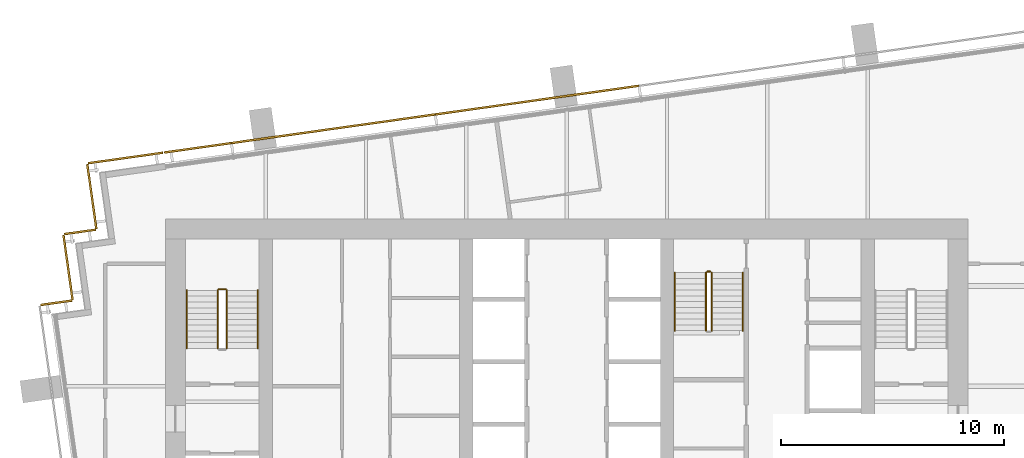
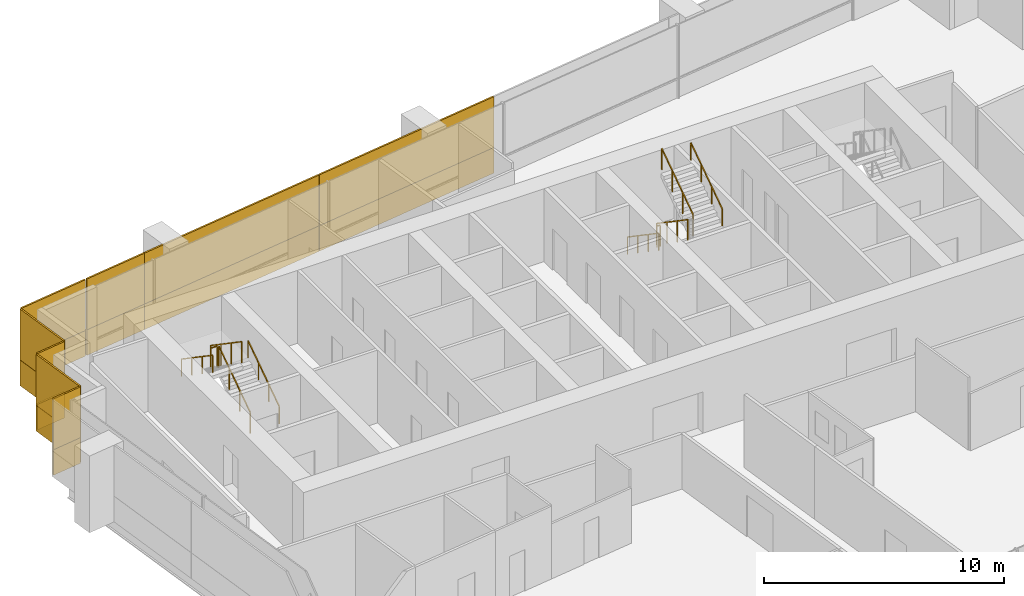
# One storey, part 17 of 18: 16 coverings, 10 railings.
"""IFC4 building model written with IfcOpenShell, lengths in metres."""

from ifc_helpers import new_model, si_unit, direction, frame, origin, origin_2d, place, context, subcontext, project, spatial, rectangle, extrude, material, layer, layer_set, type_object, element, save


model = new_model("IFC4")

# Units and contexts
model_context = context("Model", 3, precision=1e-05, world=origin(), true_north=direction((0.0, 1.0)))
body_context = subcontext(model_context, "Body", "Model", "MODEL_VIEW")
ifc_project = project(units=[si_unit("LENGTHUNIT", "METRE"), si_unit("AREAUNIT", "SQUARE_METRE"), si_unit("VOLUMEUNIT", "CUBIC_METRE"), si_unit("PLANEANGLEUNIT", "RADIAN"), si_unit("MASSUNIT", "GRAM", prefix="KILO")], contexts=[model_context])

# Site, building, storey
site_placement = place(None, origin())
site = spatial("IfcSite", under=ifc_project, at=site_placement, CompositionType="ELEMENT")
building_placement = place(site_placement, origin())
building = spatial("IfcBuilding", under=site, at=building_placement, Name="Rattan Terrace Tower", CompositionType="ELEMENT")
storey_placement = place(building_placement, frame((0.0, 0.0, 233.0)))
storey = spatial("IfcBuildingStorey", under=building, at=storey_placement, Name="L53", CompositionType="ELEMENT", Elevation=233.0)

# Railings
ifc_material_1 = material(Name="Powder-coated steel guard", Category="steel")
railing_type_1 = type_object("IfcRailingType", Name="Core stair guard", PredefinedType="GUARDRAIL", material=ifc_material_1)
railing_1_placement = place(storey_placement, frame((-15.25, 1.699951171875, 0.17724609375)))
element("IfcRailing", 1, at=railing_1_placement, inside=storey, type_object=railing_type_1, Name="L53 S1 stair guard 1", PredefinedType="GUARDRAIL", context=body_context, shape_type="SweptSolid", body=[
    extrude(rectangle(XDim=0.048095703125, YDim=0.048095703125, at=origin_2d()), frame((0.0, 0.0, 1.076171875), z_axis=(0.0, 0.826240473404, 0.563317565952), x_axis=(-1.0, 0.0, 0.0)), (0.0, 0.0, 1.0), 3.14697265625),
    extrude(rectangle(XDim=0.0419921875, YDim=0.0419921875, at=origin_2d()), origin(), (0.0, 0.0, 1.0), 1.052001953125),
    extrude(rectangle(XDim=0.0419921875, YDim=0.0419921875, at=origin_2d()), frame((0.0, 0.86669921875, 0.5908203125)), (0.0, 0.0, 1.0), 1.052001953125),
    extrude(rectangle(XDim=0.0419921875, YDim=0.0419921875, at=origin_2d()), frame((0.0, 1.7333984375, 1.181884765625)), (0.0, 0.0, 1.0), 1.052001953125),
    extrude(rectangle(XDim=0.0419921875, YDim=0.0419921875, at=origin_2d()), frame((0.0, 2.60009765625, 1.772705078125)), (0.0, 0.0, 1.0), 1.052001953125),
])
railing_2_placement = place(storey_placement, frame((-15.300048828125, 4.35009765625, 1.949951171875)))
element("IfcRailing", 2, at=railing_2_placement, inside=storey, type_object=railing_type_1, Name="L53 S1 stair guard 2", PredefinedType="GUARDRAIL", context=body_context, shape_type="SweptSolid", body=[
    extrude(rectangle(XDim=0.048095703125, YDim=0.048095703125, at=origin_2d()), frame((0.0, 0.0, 1.076171875), z_axis=(-1.0, 0.0, 0.0), x_axis=(0.0, -1.0, 0.0)), (0.0, 0.0, 1.0), 0.300048828125),
    extrude(rectangle(XDim=0.0419921875, YDim=0.0419921875, at=origin_2d()), origin(), (0.0, 0.0, 1.0), 1.052001953125),
    extrude(rectangle(XDim=0.0419921875, YDim=0.0419921875, at=origin_2d()), frame((-0.300048828125, 0.0, 0.0)), (0.0, 0.0, 1.0), 1.052001953125),
])
for number, where, name in (
    (3, (-15.64990234375, 4.300048828125, 2.127197265625), "L53 S1 stair guard 3"),
    (4, (6.25, 5.10009765625, 0.17724609375), "L53 S3 stair guard 1"),
):
    element("IfcRailing", number, at=place(storey_placement, frame(where)), inside=storey, type_object=railing_type_1, Name=name, PredefinedType="GUARDRAIL", context=body_context, shape_type="SweptSolid", body=[
        extrude(rectangle(XDim=0.048095703125, YDim=0.048095703125, at=origin_2d()), frame((0.0, 0.0, 1.076171875), z_axis=(0.0, -0.826240473404, 0.563317565952), x_axis=(1.0, 0.0, 0.0)), (0.0, 0.0, 1.0), 3.14697265625),
        extrude(rectangle(XDim=0.0419921875, YDim=0.0419921875, at=origin_2d()), origin(), (0.0, 0.0, 1.0), 1.052001953125),
        extrude(rectangle(XDim=0.0419921875, YDim=0.0419921875, at=origin_2d()), frame((0.0, -0.86669921875, 0.5908203125)), (0.0, 0.0, 1.0), 1.052001953125),
        extrude(rectangle(XDim=0.0419921875, YDim=0.0419921875, at=origin_2d()), frame((0.0, -1.7333984375, 1.181884765625)), (0.0, 0.0, 1.0), 1.052001953125),
        extrude(rectangle(XDim=0.0419921875, YDim=0.0419921875, at=origin_2d()), frame((0.0, -2.60009765625, 1.772705078125)), (0.0, 0.0, 1.0), 1.052001953125),
    ])
railing_3_placement = place(storey_placement, frame((6.5, 2.5, 2.127197265625)))
element("IfcRailing", 5, at=railing_3_placement, inside=storey, type_object=railing_type_1, Name="L53 S3 stair guard 3", PredefinedType="GUARDRAIL", context=body_context, shape_type="SweptSolid", body=[
    extrude(rectangle(XDim=0.048095703125, YDim=0.048095703125, at=origin_2d()), frame((0.0, 0.0, 1.076171875), z_axis=(0.0, 0.826240473404, 0.563317565952), x_axis=(-1.0, 0.0, 0.0)), (0.0, 0.0, 1.0), 3.14697265625),
    extrude(rectangle(XDim=0.0419921875, YDim=0.0419921875, at=origin_2d()), origin(), (0.0, 0.0, 1.0), 1.052001953125),
    extrude(rectangle(XDim=0.0419921875, YDim=0.0419921875, at=origin_2d()), frame((0.0, 0.86669921875, 0.5908203125)), (0.0, 0.0, 1.0), 1.052001953125),
    extrude(rectangle(XDim=0.0419921875, YDim=0.0419921875, at=origin_2d()), frame((0.0, 1.7333984375, 1.181884765625)), (0.0, 0.0, 1.0), 1.052001953125),
    extrude(rectangle(XDim=0.0419921875, YDim=0.0419921875, at=origin_2d()), frame((0.0, 2.60009765625, 1.772705078125)), (0.0, 0.0, 1.0), 1.052001953125),
])
railing_4_placement = place(storey_placement, frame((6.300048828125, 5.14990234375, 0.0)))
element("IfcRailing", 6, at=railing_4_placement, inside=storey, type_object=railing_type_1, Name="L53 S3 stair guard 4", PredefinedType="GUARDRAIL", context=body_context, shape_type="SweptSolid", body=[
    extrude(rectangle(XDim=0.048095703125, YDim=0.048095703125, at=origin_2d()), frame((0.0, 0.0, 1.076171875), z_axis=(1.0, 0.0, 0.0), x_axis=(0.0, 1.0, 0.0)), (0.0, 0.0, 1.0), 0.14990234375),
    extrude(rectangle(XDim=0.0419921875, YDim=0.0419921875, at=origin_2d()), origin(), (0.0, 0.0, 1.0), 1.052001953125),
    extrude(rectangle(XDim=0.0419921875, YDim=0.0419921875, at=origin_2d()), frame((0.14990234375, 0.0, 0.0)), (0.0, 0.0, 1.0), 1.052001953125),
])
ifc_material_2 = material(Name="Powder-coated steel handrail", Category="steel")
railing_type_2 = type_object("IfcRailingType", Name="Core stair handrail", PredefinedType="HANDRAIL", material=ifc_material_2)
railing_5_placement = place(storey_placement, frame((-13.85009765625, 1.699951171875, 0.17724609375)))
element("IfcRailing", 7, at=railing_5_placement, inside=storey, type_object=railing_type_2, Name="L53 S1 stair handrail 1", PredefinedType="HANDRAIL", context=body_context, shape_type="SweptSolid", body=[
    extrude(rectangle(XDim=0.048095703125, YDim=0.048095703125, at=origin_2d()), frame((0.0, 0.0, 0.8759765625), z_axis=(0.0, 0.826240473404, 0.563317565952), x_axis=(-1.0, 0.0, 0.0)), (0.0, 0.0, 1.0), 3.14697265625),
    extrude(rectangle(XDim=0.0419921875, YDim=0.0419921875, at=origin_2d()), origin(), (0.0, 0.0, 1.0), 0.851806640625),
    extrude(rectangle(XDim=0.0419921875, YDim=0.0419921875, at=origin_2d()), frame((0.0, 0.86669921875, 0.5908203125)), (0.0, 0.0, 1.0), 0.851806640625),
    extrude(rectangle(XDim=0.0419921875, YDim=0.0419921875, at=origin_2d()), frame((0.0, 1.7333984375, 1.181884765625)), (0.0, 0.0, 1.0), 0.851806640625),
    extrude(rectangle(XDim=0.0419921875, YDim=0.0419921875, at=origin_2d()), frame((0.0, 2.60009765625, 1.772705078125)), (0.0, 0.0, 1.0), 0.851806640625),
])
for number, where, name in (
    (8, (-17.050048828125, 4.300048828125, 2.127197265625), "L53 S1 stair handrail 2"),
    (9, (4.85009765625, 5.10009765625, 0.17724609375), "L53 S3 stair handrail 1"),
):
    element("IfcRailing", number, at=place(storey_placement, frame(where)), inside=storey, type_object=railing_type_2, Name=name, PredefinedType="HANDRAIL", context=body_context, shape_type="SweptSolid", body=[
        extrude(rectangle(XDim=0.048095703125, YDim=0.048095703125, at=origin_2d()), frame((0.0, 0.0, 0.8759765625), z_axis=(0.0, -0.826240473404, 0.563317565952), x_axis=(1.0, 0.0, 0.0)), (0.0, 0.0, 1.0), 3.14697265625),
        extrude(rectangle(XDim=0.0419921875, YDim=0.0419921875, at=origin_2d()), origin(), (0.0, 0.0, 1.0), 0.851806640625),
        extrude(rectangle(XDim=0.0419921875, YDim=0.0419921875, at=origin_2d()), frame((0.0, -0.86669921875, 0.5908203125)), (0.0, 0.0, 1.0), 0.851806640625),
        extrude(rectangle(XDim=0.0419921875, YDim=0.0419921875, at=origin_2d()), frame((0.0, -1.7333984375, 1.181884765625)), (0.0, 0.0, 1.0), 0.851806640625),
        extrude(rectangle(XDim=0.0419921875, YDim=0.0419921875, at=origin_2d()), frame((0.0, -2.60009765625, 1.772705078125)), (0.0, 0.0, 1.0), 0.851806640625),
    ])
railing_6_placement = place(storey_placement, frame((7.89990234375, 2.5, 2.127197265625)))
element("IfcRailing", 10, at=railing_6_placement, inside=storey, type_object=railing_type_2, Name="L53 S3 stair handrail 2", PredefinedType="HANDRAIL", context=body_context, shape_type="SweptSolid", body=[
    extrude(rectangle(XDim=0.048095703125, YDim=0.048095703125, at=origin_2d()), frame((0.0, 0.0, 0.8759765625), z_axis=(0.0, 0.826240473404, 0.563317565952), x_axis=(-1.0, 0.0, 0.0)), (0.0, 0.0, 1.0), 3.14697265625),
    extrude(rectangle(XDim=0.0419921875, YDim=0.0419921875, at=origin_2d()), origin(), (0.0, 0.0, 1.0), 0.851806640625),
    extrude(rectangle(XDim=0.0419921875, YDim=0.0419921875, at=origin_2d()), frame((0.0, 0.86669921875, 0.5908203125)), (0.0, 0.0, 1.0), 0.851806640625),
    extrude(rectangle(XDim=0.0419921875, YDim=0.0419921875, at=origin_2d()), frame((0.0, 1.7333984375, 1.181884765625)), (0.0, 0.0, 1.0), 0.851806640625),
    extrude(rectangle(XDim=0.0419921875, YDim=0.0419921875, at=origin_2d()), frame((0.0, 2.60009765625, 1.772705078125)), (0.0, 0.0, 1.0), 0.851806640625),
])

# Coverings
ifc_material_3 = material(Name="Solid terracotta", Category="masonry")
ifc_layer_1 = layer(ifc_material_3, 0.090087890625)
ifc_layer_set_1 = layer_set([ifc_layer_1], Name="Facade Terracotta Band Panel HZ")
covering_type_1 = type_object("IfcCoveringType", Name="Facade Terracotta Band Panel HZ", PredefinedType="CLADDING", material=ifc_layer_set_1)
for number, where, z_axis, x_axis, name in (
    (11, (-1.32666015625, 12.842529296875, -0.18994140625), (0.0, 0.0, 1.0), (-0.990267457022, -0.139177453499, 0.0), "OUTER SKIN panel L53-16A"),
    (12, (-10.4677734375, 11.557861328125, -0.18994140625), (0.0, 0.0, 1.0), (-0.990267457022, -0.139177453499, 0.0), "OUTER SKIN panel L53-17A"),
):
    element("IfcCovering", number, at=place(storey_placement, frame(where, z_axis=z_axis, x_axis=x_axis)), inside=storey, type_object=covering_type_1, Name=name, PredefinedType="CLADDING", context=body_context, shape_type="SweptSolid", body=[
        extrude(rectangle(XDim=9.2109375, YDim=0.090087890625, at=origin_2d()), origin(), (0.0, 0.0, 1.0), 1.300048828125),
    ])
covering_1_placement = place(storey_placement, frame((-16.546142578125, 10.70361328125, -0.18994140625), z_axis=(0.0, 0.0, 1.0), x_axis=(-0.990267457022, -0.139177453499, 0.0)))
element("IfcCovering", 13, at=covering_1_placement, inside=storey, type_object=covering_type_1, Name="OUTER SKIN panel L53-18A", PredefinedType="CLADDING", context=body_context, shape_type="SweptSolid", body=[
    extrude(rectangle(XDim=3.025390625, YDim=0.090087890625, at=origin_2d()), origin(), (0.0, 0.0, 1.0), 1.300048828125),
])
covering_2_placement = place(storey_placement, frame((-19.7919921875, 10.2470703125, -0.18994140625), z_axis=(0.0, 0.0, 1.0), x_axis=(-0.990247240581, -0.139321220646, 0.0)))
element("IfcCovering", 14, at=covering_2_placement, inside=storey, type_object=covering_type_1, Name="OUTER SKIN panel L53-19A", PredefinedType="CLADDING", context=body_context, shape_type="SweptSolid", body=[
    extrude(rectangle(XDim=3.3701171875, YDim=0.090087890625, at=origin_2d()), origin(), (0.0, 0.0, 1.0), 1.300048828125),
])
covering_3_placement = place(storey_placement, frame((-21.304443359375, 8.50439453125, -0.18994140625), z_axis=(0.0, 0.0, 1.0), x_axis=(0.138994363123, -0.990293172258, 0.0)))
element("IfcCovering", 15, at=covering_3_placement, inside=storey, type_object=covering_type_1, Name="OUTER SKIN panel L53-20A", PredefinedType="CLADDING", context=body_context, shape_type="SweptSolid", body=[
    extrude(rectangle(XDim=2.919921875, YDim=0.090087890625, at=origin_2d()), origin(), (0.0, 0.0, 1.0), 1.300048828125),
])
covering_4_placement = place(storey_placement, frame((-21.825927734375, 6.93212890625, -0.18994140625), z_axis=(0.0, 0.0, 1.0), x_axis=(-0.990332587523, -0.138713251317, 0.0)))
element("IfcCovering", 16, at=covering_4_placement, inside=storey, type_object=covering_type_1, Name="OUTER SKIN panel L53-21A", PredefinedType="CLADDING", context=body_context, shape_type="SweptSolid", body=[
    extrude(rectangle(XDim=1.419677734375, YDim=0.090087890625, at=origin_2d()), origin(), (0.0, 0.0, 1.0), 1.300048828125),
])
covering_5_placement = place(storey_placement, frame((-22.3720703125, 5.325439453125, -0.18994140625), z_axis=(0.0, 0.0, 1.0), x_axis=(0.139321220646, -0.990247240581, 0.0)))
element("IfcCovering", 17, at=covering_5_placement, inside=storey, type_object=covering_type_1, Name="OUTER SKIN panel L53-22A", PredefinedType="CLADDING", context=body_context, shape_type="SweptSolid", body=[
    extrude(rectangle(XDim=2.92041015625, YDim=0.090087890625, at=origin_2d()), origin(), (0.0, 0.0, 1.0), 1.300048828125),
])
covering_6_placement = place(storey_placement, frame((-22.893310546875, 3.752197265625, -0.18994140625), z_axis=(0.0, 0.0, 1.0), x_axis=(-0.99025370695, -0.139275252184, 0.0)))
element("IfcCovering", 18, at=covering_6_placement, inside=storey, type_object=covering_type_1, Name="OUTER SKIN panel L53-23A", PredefinedType="CLADDING", context=body_context, shape_type="SweptSolid", body=[
    extrude(rectangle(XDim=1.420654296875, YDim=0.090087890625, at=origin_2d()), origin(), (0.0, 0.0, 1.0), 1.300048828125),
])
ifc_material_4 = material(Name="Perforated terracotta", Category="masonry")
ifc_layer_2 = layer(ifc_material_4, 0.080078125)
ifc_layer_set_2 = layer_set([ifc_layer_2], Name="Facade Terracotta Screen Panel HZ")
covering_type_2 = type_object("IfcCoveringType", Name="Facade Terracotta Screen Panel HZ", PredefinedType="CLADDING", material=ifc_layer_set_2)
for number, where, z_axis, x_axis, name in (
    (19, (-1.325927734375, 12.837646484375, 1.10986328125), (0.0, 0.0, 1.0), (-0.990267457022, -0.139177453499, 0.0), "OUTER SKIN panel L53-16B"),
    (20, (-10.467041015625, 11.552978515625, 1.10986328125), (0.0, 0.0, 1.0), (-0.990267457022, -0.139177453499, 0.0), "OUTER SKIN panel L53-17B"),
):
    element("IfcCovering", number, at=place(storey_placement, frame(where, z_axis=z_axis, x_axis=x_axis)), inside=storey, type_object=covering_type_2, Name=name, PredefinedType="CLADDING", context=body_context, shape_type="SweptSolid", body=[
        extrude(rectangle(XDim=9.2109375, YDim=0.080078125, at=origin_2d()), origin(), (0.0, 0.0, 1.0), 2.580078125),
    ])
covering_7_placement = place(storey_placement, frame((-16.54541015625, 10.69873046875, 1.10986328125), z_axis=(0.0, 0.0, 1.0), x_axis=(-0.990267457022, -0.139177453499, 0.0)))
element("IfcCovering", 21, at=covering_7_placement, inside=storey, type_object=covering_type_2, Name="OUTER SKIN panel L53-18B", PredefinedType="CLADDING", context=body_context, shape_type="SweptSolid", body=[
    extrude(rectangle(XDim=3.025390625, YDim=0.080078125, at=origin_2d()), origin(), (0.0, 0.0, 1.0), 2.580078125),
])
covering_8_placement = place(storey_placement, frame((-19.791259765625, 10.2421875, 1.10986328125), z_axis=(0.0, 0.0, 1.0), x_axis=(-0.990247240581, -0.139321220646, 0.0)))
element("IfcCovering", 22, at=covering_8_placement, inside=storey, type_object=covering_type_2, Name="OUTER SKIN panel L53-19B", PredefinedType="CLADDING", context=body_context, shape_type="SweptSolid", body=[
    extrude(rectangle(XDim=3.3701171875, YDim=0.080078125, at=origin_2d()), origin(), (0.0, 0.0, 1.0), 2.580078125),
])
covering_9_placement = place(storey_placement, frame((-21.299560546875, 8.505126953125, 1.10986328125), z_axis=(0.0, 0.0, 1.0), x_axis=(0.138994363123, -0.990293172258, 0.0)))
element("IfcCovering", 23, at=covering_9_placement, inside=storey, type_object=covering_type_2, Name="OUTER SKIN panel L53-20B", PredefinedType="CLADDING", context=body_context, shape_type="SweptSolid", body=[
    extrude(rectangle(XDim=2.919921875, YDim=0.080078125, at=origin_2d()), origin(), (0.0, 0.0, 1.0), 2.580078125),
])
covering_10_placement = place(storey_placement, frame((-21.8251953125, 6.927001953125, 1.10986328125), z_axis=(0.0, 0.0, 1.0), x_axis=(-0.990332587523, -0.138713251317, 0.0)))
element("IfcCovering", 24, at=covering_10_placement, inside=storey, type_object=covering_type_2, Name="OUTER SKIN panel L53-21B", PredefinedType="CLADDING", context=body_context, shape_type="SweptSolid", body=[
    extrude(rectangle(XDim=1.419677734375, YDim=0.080078125, at=origin_2d()), origin(), (0.0, 0.0, 1.0), 2.580078125),
])
covering_11_placement = place(storey_placement, frame((-22.3671875, 5.326171875, 1.10986328125), z_axis=(0.0, 0.0, 1.0), x_axis=(0.139321220646, -0.990247240581, 0.0)))
element("IfcCovering", 25, at=covering_11_placement, inside=storey, type_object=covering_type_2, Name="OUTER SKIN panel L53-22B", PredefinedType="CLADDING", context=body_context, shape_type="SweptSolid", body=[
    extrude(rectangle(XDim=2.92041015625, YDim=0.080078125, at=origin_2d()), origin(), (0.0, 0.0, 1.0), 2.580078125),
])
covering_12_placement = place(storey_placement, frame((-22.892578125, 3.747314453125, 1.10986328125), z_axis=(0.0, 0.0, 1.0), x_axis=(-0.99025370695, -0.139275252184, 0.0)))
element("IfcCovering", 26, at=covering_12_placement, inside=storey, type_object=covering_type_2, Name="OUTER SKIN panel L53-23B", PredefinedType="CLADDING", context=body_context, shape_type="SweptSolid", body=[
    extrude(rectangle(XDim=1.420654296875, YDim=0.080078125, at=origin_2d()), origin(), (0.0, 0.0, 1.0), 2.580078125),
])

save(model, "model.ifc")
